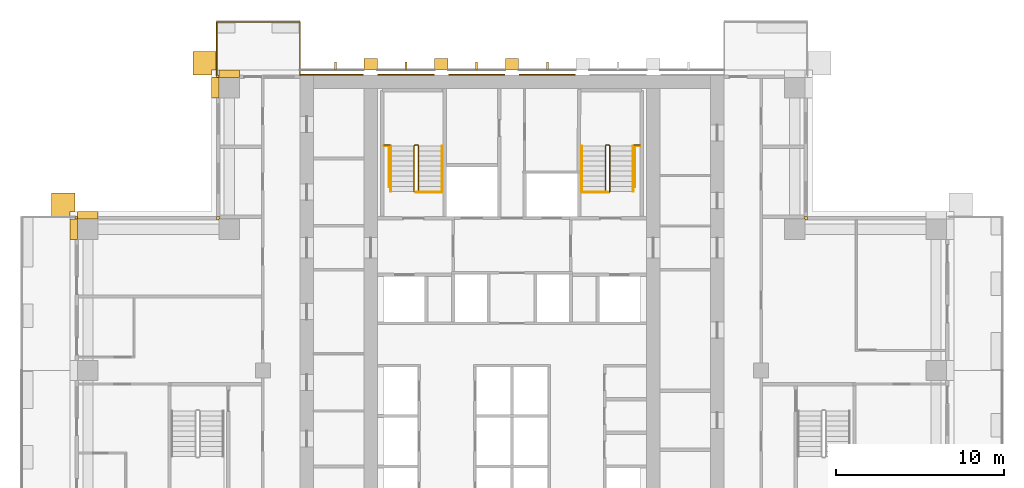
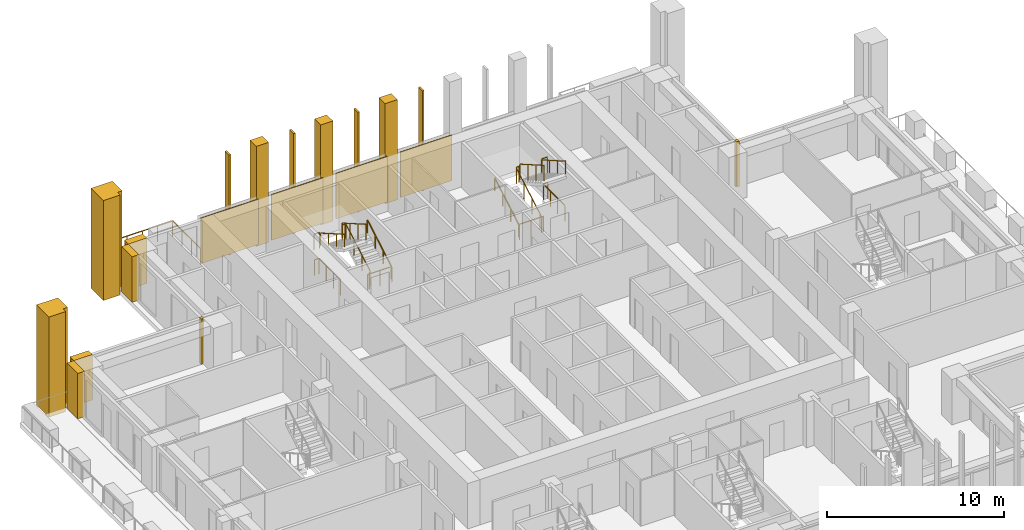
# One storey, part 16 of 17: 21 coverings, 13 railings.
"""IFC4 building model written with IfcOpenShell, lengths in metres."""

from ifc_helpers import new_model, si_unit, direction, frame, origin, origin_2d, place, context, subcontext, project, spatial, polyline, rectangle, outline, extrude, material, layer, layer_set, type_object, element, save


model = new_model("IFC4")

# Units and contexts
model_context = context("Model", 3, precision=1e-05, world=origin(), true_north=direction((0.0, 1.0)))
body_context = subcontext(model_context, "Body", "Model", "MODEL_VIEW")
ifc_project = project(units=[si_unit("LENGTHUNIT", "METRE"), si_unit("AREAUNIT", "SQUARE_METRE"), si_unit("VOLUMEUNIT", "CUBIC_METRE"), si_unit("PLANEANGLEUNIT", "RADIAN"), si_unit("MASSUNIT", "GRAM", prefix="KILO")], contexts=[model_context])

# Site, building, storey
site_placement = place(None, origin())
site = spatial("IfcSite", under=ifc_project, at=site_placement, CompositionType="ELEMENT")
building_placement = place(site_placement, origin())
building = spatial("IfcBuilding", under=site, at=building_placement, Name="Vermilion Ogive Tower", CompositionType="ELEMENT")
storey_placement = place(building_placement, frame((0.0, 0.0, 97.64990234375)))
storey = spatial("IfcBuildingStorey", under=building, at=storey_placement, Name="L24", CompositionType="ELEMENT", Elevation=97.64990234375)

# Railing
ifc_material_1 = material(Name="Stainless steel and glass", Category="steel")
railing_type_1 = type_object("IfcRailingType", Name="Balcony guard", PredefinedType="GUARDRAIL", material=ifc_material_1)
railing_1_placement = place(storey_placement, frame((-12.60009765625, 21.75, -0.039794921875)))
element("IfcRailing", 1, at=railing_1_placement, inside=storey, type_object=railing_type_1, Name="Guard N201", PredefinedType="GUARDRAIL", context=body_context, shape_type="SweptSolid", body=[
    extrude(rectangle(XDim=0.048095703125, YDim=0.048095703125, at=origin_2d()), frame((0.0, 0.0, 1.076171875), z_axis=(0.0, 1.0, 0.0), x_axis=(-1.0, 0.0, 0.0)), (0.0, 0.0, 1.0), 3.159912109375),
    extrude(rectangle(XDim=0.048095703125, YDim=0.048095703125, at=origin_2d()), frame((0.0, 3.159912109375, 1.076171875), z_axis=(-1.0, 0.0, 0.0), x_axis=(0.0, -1.0, 0.0)), (0.0, 0.0, 1.0), 4.949951171875),
    extrude(rectangle(XDim=0.048095703125, YDim=0.048095703125, at=origin_2d()), frame((-4.949951171875, 3.159912109375, 1.076171875), z_axis=(0.0, -1.0, 0.0), x_axis=(1.0, 0.0, 0.0)), (0.0, 0.0, 1.0), 3.159912109375),
    extrude(rectangle(XDim=0.0419921875, YDim=0.0419921875, at=origin_2d()), origin(), (0.0, 0.0, 1.0), 1.052001953125),
    extrude(rectangle(XDim=0.0419921875, YDim=0.0419921875, at=origin_2d()), frame((0.0, 1.05322265625, 0.0)), (0.0, 0.0, 1.0), 1.052001953125),
    extrude(rectangle(XDim=0.0419921875, YDim=0.0419921875, at=origin_2d()), frame((0.0, 2.106689453125, 0.0)), (0.0, 0.0, 1.0), 1.052001953125),
    extrude(rectangle(XDim=0.0419921875, YDim=0.0419921875, at=origin_2d()), frame((0.0, 3.159912109375, 0.0)), (0.0, 0.0, 1.0), 1.052001953125),
    extrude(rectangle(XDim=0.0419921875, YDim=0.0419921875, at=origin_2d()), frame((-0.989990234375, 3.159912109375, 0.0)), (0.0, 0.0, 1.0), 1.052001953125),
    extrude(rectangle(XDim=0.0419921875, YDim=0.0419921875, at=origin_2d()), frame((-1.97998046875, 3.159912109375, 0.0)), (0.0, 0.0, 1.0), 1.052001953125),
    extrude(rectangle(XDim=0.0419921875, YDim=0.0419921875, at=origin_2d()), frame((-2.969970703125, 3.159912109375, 0.0)), (0.0, 0.0, 1.0), 1.052001953125),
    extrude(rectangle(XDim=0.0419921875, YDim=0.0419921875, at=origin_2d()), frame((-3.9599609375, 3.159912109375, 0.0)), (0.0, 0.0, 1.0), 1.052001953125),
    extrude(rectangle(XDim=0.0419921875, YDim=0.0419921875, at=origin_2d()), frame((-4.949951171875, 3.159912109375, 0.0)), (0.0, 0.0, 1.0), 1.052001953125),
    extrude(rectangle(XDim=0.0419921875, YDim=0.0419921875, at=origin_2d()), frame((-4.949951171875, 2.106689453125, 0.0)), (0.0, 0.0, 1.0), 1.052001953125),
    extrude(rectangle(XDim=0.0419921875, YDim=0.0419921875, at=origin_2d()), frame((-4.949951171875, 1.05322265625, 0.0)), (0.0, 0.0, 1.0), 1.052001953125),
    extrude(rectangle(XDim=0.0419921875, YDim=0.0419921875, at=origin_2d()), frame((-4.949951171875, 0.0, 0.0)), (0.0, 0.0, 1.0), 1.052001953125),
])

# Coverings
ifc_material_2 = material(Name="Glazed ceramic screen")
ifc_layer = layer(ifc_material_2, 0.14990234375)
ifc_layer_set = layer_set([ifc_layer], Name="Ceramic solar screen fin")
covering_type_1 = type_object("IfcCoveringType", Name="Ceramic solar screen fin", PredefinedType="CLADDING", material=ifc_layer_set)
covering_1_placement = place(storey_placement, frame((0.0, 0.0, -0.31982421875)))
element("IfcCovering", 2, at=covering_1_placement, inside=storey, type_object=covering_type_1, Name="Solar screen blade N1", PredefinedType="CLADDING", context=body_context, shape_type="SweptSolid", body=[
    extrude(outline(polyline([(-10.56005859375, 22.08203125), (-10.43994140625, 22.08203125), (-10.43994140625, 22.531982421875), (-10.56005859375, 22.531982421875), (-10.56005859375, 22.08203125)])), origin(), (0.0, 0.0, 1.0), 6.89990234375),
])
covering_2_placement = place(storey_placement, frame((0.0, 0.0, -0.31982421875)))
element("IfcCovering", 3, at=covering_2_placement, inside=storey, type_object=covering_type_1, Name="Solar screen blade N2", PredefinedType="CLADDING", context=body_context, shape_type="SweptSolid", body=[
    extrude(outline(polyline([(-6.360107421875, 22.08203125), (-6.239990234375, 22.08203125), (-6.239990234375, 22.531982421875), (-6.360107421875, 22.531982421875), (-6.360107421875, 22.08203125)])), origin(), (0.0, 0.0, 1.0), 6.89990234375),
])
covering_3_placement = place(storey_placement, frame((0.0, 0.0, -0.31982421875)))
element("IfcCovering", 4, at=covering_3_placement, inside=storey, type_object=covering_type_1, Name="Solar screen blade N3", PredefinedType="CLADDING", context=body_context, shape_type="SweptSolid", body=[
    extrude(outline(polyline([(-2.159912109375, 22.08203125), (-2.0400390625, 22.08203125), (-2.0400390625, 22.531982421875), (-2.159912109375, 22.531982421875), (-2.159912109375, 22.08203125)])), origin(), (0.0, 0.0, 1.0), 6.89990234375),
])
covering_4_placement = place(storey_placement, frame((0.0, 0.0, -0.31982421875)))
element("IfcCovering", 5, at=covering_4_placement, inside=storey, type_object=covering_type_1, Name="Solar screen blade N4", PredefinedType="CLADDING", context=body_context, shape_type="SweptSolid", body=[
    extrude(outline(polyline([(2.0400390625, 22.08203125), (2.159912109375, 22.08203125), (2.159912109375, 22.531982421875), (2.0400390625, 22.531982421875), (2.0400390625, 22.08203125)])), origin(), (0.0, 0.0, 1.0), 6.89990234375),
])

# Railings
ifc_material_3 = material(Name="Steel S355 painted", Category="steel")
railing_type_2 = type_object("IfcRailingType", Name="Stair guard 1100", PredefinedType="GUARDRAIL", material=ifc_material_3)
railing_2_placement = place(storey_placement, frame((-5.75, 14.800048828125, 0.0)))
element("IfcRailing", 6, at=railing_2_placement, inside=storey, type_object=railing_type_2, Name="L24 ST1 stair guard 4", PredefinedType="GUARDRAIL", context=body_context, shape_type="SweptSolid", body=[
    extrude(rectangle(XDim=0.048095703125, YDim=0.048095703125, at=origin_2d()), frame((0.0, 0.0, 1.076171875), z_axis=(1.0, 0.0, 0.0), x_axis=(0.0, 1.0, 0.0)), (0.0, 0.0, 1.0), 0.14990234375),
    extrude(rectangle(XDim=0.048095703125, YDim=0.048095703125, at=origin_2d()), frame((0.14990234375, 0.0, 1.076171875), z_axis=(0.268277960024, 0.268277960024, 0.925231793839), x_axis=(-0.707106781187, 0.707106781187, 0.0)), (0.0, 0.0, 1.0), 0.1865234375),
    extrude(rectangle(XDim=0.048095703125, YDim=0.048095703125, at=origin_2d()), frame((0.199951171875, 0.050048828125, 1.24853515625), z_axis=(0.0, 0.866903762492, 0.498475542607), x_axis=(-1.0, 0.0, 0.0)), (0.0, 0.0, 1.0), 3.114501953125),
    extrude(rectangle(XDim=0.048095703125, YDim=0.048095703125, at=origin_2d()), frame((0.199951171875, 2.75, 2.80126953125), z_axis=(-0.707106781187, 0.707106781187, 0.0), x_axis=(-0.707106781187, -0.707106781187, 0.0)), (0.0, 0.0, 1.0), 0.07080078125),
    extrude(rectangle(XDim=0.048095703125, YDim=0.048095703125, at=origin_2d()), frame((0.14990234375, 2.800048828125, 2.80126953125), z_axis=(-1.0, 0.0, 0.0), x_axis=(0.0, -1.0, 0.0)), (0.0, 0.0, 1.0), 0.14990234375),
    extrude(rectangle(XDim=0.048095703125, YDim=0.048095703125, at=origin_2d()), frame((0.0, 2.800048828125, 2.80126953125), z_axis=(-0.268277960024, -0.268277960024, 0.925231793839), x_axis=(0.707106781187, -0.707106781187, 0.0)), (0.0, 0.0, 1.0), 0.1865234375),
    extrude(rectangle(XDim=0.048095703125, YDim=0.048095703125, at=origin_2d()), frame((-0.050048828125, 2.75, 2.9736328125), z_axis=(0.0, -0.866903762492, 0.498475542607), x_axis=(1.0, 0.0, 0.0)), (0.0, 0.0, 1.0), 3.114501953125),
    extrude(rectangle(XDim=0.0419921875, YDim=0.0419921875, at=origin_2d()), origin(), (0.0, 0.0, 1.0), 1.052001953125),
    extrude(rectangle(XDim=0.0419921875, YDim=0.0419921875, at=origin_2d()), frame((0.14990234375, 0.0, 0.0)), (0.0, 0.0, 1.0), 1.052001953125),
    extrude(rectangle(XDim=0.0419921875, YDim=0.0419921875, at=origin_2d()), frame((0.199951171875, 0.050048828125, 0.172607421875)), (0.0, 0.0, 1.0), 1.052001953125),
    extrude(rectangle(XDim=0.0419921875, YDim=0.0419921875, at=origin_2d()), frame((0.199951171875, 0.949951171875, 0.690185546875)), (0.0, 0.0, 1.0), 1.052001953125),
    extrude(rectangle(XDim=0.0419921875, YDim=0.0419921875, at=origin_2d()), frame((0.199951171875, 1.85009765625, 1.20751953125)), (0.0, 0.0, 1.0), 1.052001953125),
    extrude(rectangle(XDim=0.0419921875, YDim=0.0419921875, at=origin_2d()), frame((0.199951171875, 2.75, 1.72509765625)), (0.0, 0.0, 1.0), 1.052001953125),
    extrude(rectangle(XDim=0.0419921875, YDim=0.0419921875, at=origin_2d()), frame((0.14990234375, 2.800048828125, 1.72509765625)), (0.0, 0.0, 1.0), 1.052001953125),
    extrude(rectangle(XDim=0.0419921875, YDim=0.0419921875, at=origin_2d()), frame((0.0, 2.800048828125, 1.72509765625)), (0.0, 0.0, 1.0), 1.052001953125),
    extrude(rectangle(XDim=0.0419921875, YDim=0.0419921875, at=origin_2d()), frame((-0.050048828125, 2.75, 1.897705078125)), (0.0, 0.0, 1.0), 1.052001953125),
    extrude(rectangle(XDim=0.0419921875, YDim=0.0419921875, at=origin_2d()), frame((-0.050048828125, 1.85009765625, 2.415283203125)), (0.0, 0.0, 1.0), 1.052001953125),
    extrude(rectangle(XDim=0.0419921875, YDim=0.0419921875, at=origin_2d()), frame((-0.050048828125, 0.949951171875, 2.9326171875)), (0.0, 0.0, 1.0), 1.052001953125),
    extrude(rectangle(XDim=0.0419921875, YDim=0.0419921875, at=origin_2d()), frame((-0.050048828125, 0.050048828125, 3.4501953125)), (0.0, 0.0, 1.0), 1.052001953125),
])
railing_3_placement = place(storey_placement, frame((5.75, 14.800048828125, 0.0)))
element("IfcRailing", 7, at=railing_3_placement, inside=storey, type_object=railing_type_2, Name="L24 ST2 stair guard 4", PredefinedType="GUARDRAIL", context=body_context, shape_type="SweptSolid", body=[
    extrude(rectangle(XDim=0.048095703125, YDim=0.048095703125, at=origin_2d()), frame((0.0, 0.0, 1.076171875), z_axis=(-1.0, 0.0, 0.0), x_axis=(0.0, -1.0, 0.0)), (0.0, 0.0, 1.0), 0.14990234375),
    extrude(rectangle(XDim=0.048095703125, YDim=0.048095703125, at=origin_2d()), frame((-0.14990234375, 0.0, 1.076171875), z_axis=(-0.268277960024, 0.268277960024, 0.925231793839), x_axis=(-0.707106781187, -0.707106781187, 0.0)), (0.0, 0.0, 1.0), 0.1865234375),
    extrude(rectangle(XDim=0.048095703125, YDim=0.048095703125, at=origin_2d()), frame((-0.199951171875, 0.050048828125, 1.24853515625), z_axis=(0.0, 0.866903762492, 0.498475542607), x_axis=(-1.0, 0.0, 0.0)), (0.0, 0.0, 1.0), 3.114501953125),
    extrude(rectangle(XDim=0.048095703125, YDim=0.048095703125, at=origin_2d()), frame((-0.199951171875, 2.75, 2.80126953125), z_axis=(0.707106781187, 0.707106781187, 0.0), x_axis=(-0.707106781187, 0.707106781187, 0.0)), (0.0, 0.0, 1.0), 0.07080078125),
    extrude(rectangle(XDim=0.048095703125, YDim=0.048095703125, at=origin_2d()), frame((-0.14990234375, 2.800048828125, 2.80126953125), z_axis=(1.0, 0.0, 0.0), x_axis=(0.0, 1.0, 0.0)), (0.0, 0.0, 1.0), 0.14990234375),
    extrude(rectangle(XDim=0.048095703125, YDim=0.048095703125, at=origin_2d()), frame((0.0, 2.800048828125, 2.80126953125), z_axis=(0.268277960024, -0.268277960024, 0.925231793839), x_axis=(0.707106781187, 0.707106781187, 0.0)), (0.0, 0.0, 1.0), 0.1865234375),
    extrude(rectangle(XDim=0.048095703125, YDim=0.048095703125, at=origin_2d()), frame((0.050048828125, 2.75, 2.9736328125), z_axis=(0.0, -0.866903762492, 0.498475542607), x_axis=(1.0, 0.0, 0.0)), (0.0, 0.0, 1.0), 3.114501953125),
    extrude(rectangle(XDim=0.0419921875, YDim=0.0419921875, at=origin_2d()), origin(), (0.0, 0.0, 1.0), 1.052001953125),
    extrude(rectangle(XDim=0.0419921875, YDim=0.0419921875, at=origin_2d()), frame((-0.14990234375, 0.0, 0.0)), (0.0, 0.0, 1.0), 1.052001953125),
    extrude(rectangle(XDim=0.0419921875, YDim=0.0419921875, at=origin_2d()), frame((-0.199951171875, 0.050048828125, 0.172607421875)), (0.0, 0.0, 1.0), 1.052001953125),
    extrude(rectangle(XDim=0.0419921875, YDim=0.0419921875, at=origin_2d()), frame((-0.199951171875, 0.949951171875, 0.690185546875)), (0.0, 0.0, 1.0), 1.052001953125),
    extrude(rectangle(XDim=0.0419921875, YDim=0.0419921875, at=origin_2d()), frame((-0.199951171875, 1.85009765625, 1.20751953125)), (0.0, 0.0, 1.0), 1.052001953125),
    extrude(rectangle(XDim=0.0419921875, YDim=0.0419921875, at=origin_2d()), frame((-0.199951171875, 2.75, 1.72509765625)), (0.0, 0.0, 1.0), 1.052001953125),
    extrude(rectangle(XDim=0.0419921875, YDim=0.0419921875, at=origin_2d()), frame((-0.14990234375, 2.800048828125, 1.72509765625)), (0.0, 0.0, 1.0), 1.052001953125),
    extrude(rectangle(XDim=0.0419921875, YDim=0.0419921875, at=origin_2d()), frame((0.0, 2.800048828125, 1.72509765625)), (0.0, 0.0, 1.0), 1.052001953125),
    extrude(rectangle(XDim=0.0419921875, YDim=0.0419921875, at=origin_2d()), frame((0.050048828125, 2.75, 1.897705078125)), (0.0, 0.0, 1.0), 1.052001953125),
    extrude(rectangle(XDim=0.0419921875, YDim=0.0419921875, at=origin_2d()), frame((0.050048828125, 1.85009765625, 2.415283203125)), (0.0, 0.0, 1.0), 1.052001953125),
    extrude(rectangle(XDim=0.0419921875, YDim=0.0419921875, at=origin_2d()), frame((0.050048828125, 0.949951171875, 2.9326171875)), (0.0, 0.0, 1.0), 1.052001953125),
    extrude(rectangle(XDim=0.0419921875, YDim=0.0419921875, at=origin_2d()), frame((0.050048828125, 0.050048828125, 3.4501953125)), (0.0, 0.0, 1.0), 1.052001953125),
])
for number, where, name in (
    (8, (-7.60009765625, 17.60009765625, 1.72509765625), "L24 landing guard"),
    (9, (7.25, 17.60009765625, 1.72509765625), "L24 landing guard"),
):
    element("IfcRailing", number, at=place(storey_placement, frame(where)), inside=storey, type_object=railing_type_2, Name=name, PredefinedType="GUARDRAIL", context=body_context, shape_type="SweptSolid", body=[
        extrude(rectangle(XDim=0.048095703125, YDim=0.048095703125, at=origin_2d()), frame((0.0, 0.0, 1.076171875), z_axis=(1.0, 0.0, 0.0), x_axis=(0.0, 1.0, 0.0)), (0.0, 0.0, 1.0), 0.35009765625),
        extrude(rectangle(XDim=0.0419921875, YDim=0.0419921875, at=origin_2d()), origin(), (0.0, 0.0, 1.0), 1.052001953125),
        extrude(rectangle(XDim=0.0419921875, YDim=0.0419921875, at=origin_2d()), frame((0.35009765625, 0.0, 0.0)), (0.0, 0.0, 1.0), 1.052001953125),
    ])
railing_4_placement = place(storey_placement, frame((-4.159912109375, 14.7900390625, 0.0)))
element("IfcRailing", 10, at=railing_4_placement, inside=storey, type_object=railing_type_2, Name="L24 stair opening guard", PredefinedType="GUARDRAIL", context=body_context, shape_type="SweptSolid", body=[
    extrude(rectangle(XDim=0.048095703125, YDim=0.048095703125, at=origin_2d()), frame((0.0, 0.0, 1.076171875), z_axis=(-1.0, 0.0, 0.0), x_axis=(0.0, -1.0, 0.0)), (0.0, 0.0, 1.0), 1.5400390625),
    extrude(rectangle(XDim=0.0419921875, YDim=0.0419921875, at=origin_2d()), origin(), (0.0, 0.0, 1.0), 1.052001953125),
    extrude(rectangle(XDim=0.0419921875, YDim=0.0419921875, at=origin_2d()), frame((-0.77001953125, 0.0, 0.0)), (0.0, 0.0, 1.0), 1.052001953125),
    extrude(rectangle(XDim=0.0419921875, YDim=0.0419921875, at=origin_2d()), frame((-1.5400390625, 0.0, 0.0)), (0.0, 0.0, 1.0), 1.052001953125),
])
railing_5_placement = place(storey_placement, frame((-7.3095703125, 15.11865234375, 0.0)))
element("IfcRailing", 11, at=railing_5_placement, inside=storey, type_object=railing_type_2, Name="L24 stair opening guard", PredefinedType="GUARDRAIL", context=body_context, shape_type="SweptSolid", body=[
    extrude(rectangle(XDim=0.048095703125, YDim=0.048095703125, at=origin_2d()), frame((0.0, 0.0, 1.076171875), z_axis=(0.0, 1.0, 0.0), x_axis=(-1.0, 0.0, 0.0)), (0.0, 0.0, 1.0), 2.42431640625),
    extrude(rectangle(XDim=0.048095703125, YDim=0.048095703125, at=origin_2d()), frame((0.0, 2.42431640625, 1.076171875), z_axis=(-1.0, 0.0, 0.0), x_axis=(0.0, -1.0, 0.0)), (0.0, 0.0, 1.0), 0.2900390625),
    extrude(rectangle(XDim=0.0419921875, YDim=0.0419921875, at=origin_2d()), origin(), (0.0, 0.0, 1.0), 1.052001953125),
    extrude(rectangle(XDim=0.0419921875, YDim=0.0419921875, at=origin_2d()), frame((0.0, 0.80810546875, 0.0)), (0.0, 0.0, 1.0), 1.052001953125),
    extrude(rectangle(XDim=0.0419921875, YDim=0.0419921875, at=origin_2d()), frame((0.0, 1.6162109375, 0.0)), (0.0, 0.0, 1.0), 1.052001953125),
    extrude(rectangle(XDim=0.0419921875, YDim=0.0419921875, at=origin_2d()), frame((0.0, 2.42431640625, 0.0)), (0.0, 0.0, 1.0), 1.052001953125),
    extrude(rectangle(XDim=0.0419921875, YDim=0.0419921875, at=origin_2d()), frame((-0.2900390625, 2.42431640625, 0.0)), (0.0, 0.0, 1.0), 1.052001953125),
])
railing_6_placement = place(storey_placement, frame((7.599609375, 17.54296875, 0.0)))
element("IfcRailing", 12, at=railing_6_placement, inside=storey, type_object=railing_type_2, Name="L24 stair opening guard", PredefinedType="GUARDRAIL", context=body_context, shape_type="SweptSolid", body=[
    extrude(rectangle(XDim=0.048095703125, YDim=0.048095703125, at=origin_2d()), frame((0.0, 0.0, 1.076171875), z_axis=(-1.0, 0.0, 0.0), x_axis=(0.0, -1.0, 0.0)), (0.0, 0.0, 1.0), 0.2900390625),
    extrude(rectangle(XDim=0.048095703125, YDim=0.048095703125, at=origin_2d()), frame((-0.2900390625, 0.0, 1.076171875), z_axis=(0.0, -1.0, 0.0), x_axis=(1.0, 0.0, 0.0)), (0.0, 0.0, 1.0), 2.42431640625),
    extrude(rectangle(XDim=0.0419921875, YDim=0.0419921875, at=origin_2d()), origin(), (0.0, 0.0, 1.0), 1.052001953125),
    extrude(rectangle(XDim=0.0419921875, YDim=0.0419921875, at=origin_2d()), frame((-0.2900390625, 0.0, 0.0)), (0.0, 0.0, 1.0), 1.052001953125),
    extrude(rectangle(XDim=0.0419921875, YDim=0.0419921875, at=origin_2d()), frame((-0.2900390625, -0.80810546875, 0.0)), (0.0, 0.0, 1.0), 1.052001953125),
    extrude(rectangle(XDim=0.0419921875, YDim=0.0419921875, at=origin_2d()), frame((-0.2900390625, -1.6162109375, 0.0)), (0.0, 0.0, 1.0), 1.052001953125),
    extrude(rectangle(XDim=0.0419921875, YDim=0.0419921875, at=origin_2d()), frame((-0.2900390625, -2.42431640625, 0.0)), (0.0, 0.0, 1.0), 1.052001953125),
])
railing_7_placement = place(storey_placement, frame((5.699951171875, 14.7900390625, 0.0)))
element("IfcRailing", 13, at=railing_7_placement, inside=storey, type_object=railing_type_2, Name="L24 stair opening guard", PredefinedType="GUARDRAIL", context=body_context, shape_type="SweptSolid", body=[
    extrude(rectangle(XDim=0.048095703125, YDim=0.048095703125, at=origin_2d()), frame((0.0, 0.0, 1.076171875), z_axis=(-1.0, 0.0, 0.0), x_axis=(0.0, -1.0, 0.0)), (0.0, 0.0, 1.0), 1.5400390625),
    extrude(rectangle(XDim=0.0419921875, YDim=0.0419921875, at=origin_2d()), origin(), (0.0, 0.0, 1.0), 1.052001953125),
    extrude(rectangle(XDim=0.0419921875, YDim=0.0419921875, at=origin_2d()), frame((-0.77001953125, 0.0, 0.0)), (0.0, 0.0, 1.0), 1.052001953125),
    extrude(rectangle(XDim=0.0419921875, YDim=0.0419921875, at=origin_2d()), frame((-1.5400390625, 0.0, 0.0)), (0.0, 0.0, 1.0), 1.052001953125),
])
ifc_material_4 = material(Name="Stainless steel", Category="steel")
railing_type_3 = type_object("IfcRailingType", Name="Stair handrail 900", PredefinedType="HANDRAIL", material=ifc_material_4)
railing_8_placement = place(storey_placement, frame((-4.14990234375, 14.85009765625, 0.172607421875)))
element("IfcRailing", 14, at=railing_8_placement, inside=storey, type_object=railing_type_3, Name="L24 ST1 stair handrail 1", PredefinedType="HANDRAIL", context=body_context, shape_type="SweptSolid", body=[
    extrude(rectangle(XDim=0.048095703125, YDim=0.048095703125, at=origin_2d()), frame((0.0, 0.0, 0.8759765625), z_axis=(0.0, 0.866903762492, 0.498475542607), x_axis=(-1.0, 0.0, 0.0)), (0.0, 0.0, 1.0), 3.114501953125),
    extrude(rectangle(XDim=0.0419921875, YDim=0.0419921875, at=origin_2d()), origin(), (0.0, 0.0, 1.0), 0.851806640625),
    extrude(rectangle(XDim=0.0419921875, YDim=0.0419921875, at=origin_2d()), frame((0.0, 0.89990234375, 0.517578125)), (0.0, 0.0, 1.0), 0.851806640625),
    extrude(rectangle(XDim=0.0419921875, YDim=0.0419921875, at=origin_2d()), frame((0.0, 1.800048828125, 1.034912109375)), (0.0, 0.0, 1.0), 0.851806640625),
    extrude(rectangle(XDim=0.0419921875, YDim=0.0419921875, at=origin_2d()), frame((0.0, 2.699951171875, 1.552490234375)), (0.0, 0.0, 1.0), 0.851806640625),
])
railing_9_placement = place(storey_placement, frame((-7.199951171875, 17.550048828125, 1.897705078125)))
element("IfcRailing", 15, at=railing_9_placement, inside=storey, type_object=railing_type_3, Name="L24 ST1 stair handrail 2", PredefinedType="HANDRAIL", context=body_context, shape_type="SweptSolid", body=[
    extrude(rectangle(XDim=0.048095703125, YDim=0.048095703125, at=origin_2d()), frame((0.0, 0.0, 0.8759765625), z_axis=(0.0, -0.866903762492, 0.498475542607), x_axis=(1.0, 0.0, 0.0)), (0.0, 0.0, 1.0), 3.114501953125),
    extrude(rectangle(XDim=0.0419921875, YDim=0.0419921875, at=origin_2d()), origin(), (0.0, 0.0, 1.0), 0.851806640625),
    extrude(rectangle(XDim=0.0419921875, YDim=0.0419921875, at=origin_2d()), frame((0.0, -0.89990234375, 0.517578125)), (0.0, 0.0, 1.0), 0.851806640625),
    extrude(rectangle(XDim=0.0419921875, YDim=0.0419921875, at=origin_2d()), frame((0.0, -1.800048828125, 1.034912109375)), (0.0, 0.0, 1.0), 0.851806640625),
    extrude(rectangle(XDim=0.0419921875, YDim=0.0419921875, at=origin_2d()), frame((0.0, -2.699951171875, 1.552490234375)), (0.0, 0.0, 1.0), 0.851806640625),
])
railing_10_placement = place(storey_placement, frame((4.14990234375, 14.85009765625, 0.172607421875)))
element("IfcRailing", 16, at=railing_10_placement, inside=storey, type_object=railing_type_3, Name="L24 ST2 stair handrail 1", PredefinedType="HANDRAIL", context=body_context, shape_type="SweptSolid", body=[
    extrude(rectangle(XDim=0.048095703125, YDim=0.048095703125, at=origin_2d()), frame((0.0, 0.0, 0.8759765625), z_axis=(0.0, 0.866903762492, 0.498475542607), x_axis=(-1.0, 0.0, 0.0)), (0.0, 0.0, 1.0), 3.114501953125),
    extrude(rectangle(XDim=0.0419921875, YDim=0.0419921875, at=origin_2d()), origin(), (0.0, 0.0, 1.0), 0.851806640625),
    extrude(rectangle(XDim=0.0419921875, YDim=0.0419921875, at=origin_2d()), frame((0.0, 0.89990234375, 0.517578125)), (0.0, 0.0, 1.0), 0.851806640625),
    extrude(rectangle(XDim=0.0419921875, YDim=0.0419921875, at=origin_2d()), frame((0.0, 1.800048828125, 1.034912109375)), (0.0, 0.0, 1.0), 0.851806640625),
    extrude(rectangle(XDim=0.0419921875, YDim=0.0419921875, at=origin_2d()), frame((0.0, 2.699951171875, 1.552490234375)), (0.0, 0.0, 1.0), 0.851806640625),
])
railing_11_placement = place(storey_placement, frame((7.199951171875, 17.550048828125, 1.897705078125)))
element("IfcRailing", 17, at=railing_11_placement, inside=storey, type_object=railing_type_3, Name="L24 ST2 stair handrail 2", PredefinedType="HANDRAIL", context=body_context, shape_type="SweptSolid", body=[
    extrude(rectangle(XDim=0.048095703125, YDim=0.048095703125, at=origin_2d()), frame((0.0, 0.0, 0.8759765625), z_axis=(0.0, -0.866903762492, 0.498475542607), x_axis=(1.0, 0.0, 0.0)), (0.0, 0.0, 1.0), 3.114501953125),
    extrude(rectangle(XDim=0.0419921875, YDim=0.0419921875, at=origin_2d()), origin(), (0.0, 0.0, 1.0), 0.851806640625),
    extrude(rectangle(XDim=0.0419921875, YDim=0.0419921875, at=origin_2d()), frame((0.0, -0.89990234375, 0.517578125)), (0.0, 0.0, 1.0), 0.851806640625),
    extrude(rectangle(XDim=0.0419921875, YDim=0.0419921875, at=origin_2d()), frame((0.0, -1.800048828125, 1.034912109375)), (0.0, 0.0, 1.0), 0.851806640625),
    extrude(rectangle(XDim=0.0419921875, YDim=0.0419921875, at=origin_2d()), frame((0.0, -2.699951171875, 1.552490234375)), (0.0, 0.0, 1.0), 0.851806640625),
])

# Coverings
ifc_material_5 = material(Name="Stone cladding", Category="masonry")
covering_type_2 = type_object("IfcCoveringType", Name="Stone buttress pier", PredefinedType="CLADDING", material=ifc_material_5)
covering_5_placement = place(storey_placement, frame((0.0, 0.0, -0.31982421875)))
element("IfcCovering", 18, at=covering_5_placement, inside=storey, type_object=covering_type_2, Name="Stone buttress pier N1", PredefinedType="CLADDING", context=body_context, shape_type="SweptSolid", body=[
    extrude(outline(polyline([(-8.0, 22.75), (-8.0, 22.050048828125), (-8.800048828125, 22.050048828125), (-8.800048828125, 22.75), (-8.0, 22.75)])), origin(), (0.0, 0.0, 1.0), 6.89990234375),
])
covering_6_placement = place(storey_placement, frame((0.0, 0.0, -0.31982421875)))
element("IfcCovering", 19, at=covering_6_placement, inside=storey, type_object=covering_type_2, Name="Stone buttress pier N2", PredefinedType="CLADDING", context=body_context, shape_type="SweptSolid", body=[
    extrude(outline(polyline([(-3.800048828125, 22.75), (-3.800048828125, 22.050048828125), (-4.60009765625, 22.050048828125), (-4.60009765625, 22.75), (-3.800048828125, 22.75)])), origin(), (0.0, 0.0, 1.0), 6.89990234375),
])
covering_7_placement = place(storey_placement, frame((0.0, 0.0, -0.31982421875)))
element("IfcCovering", 20, at=covering_7_placement, inside=storey, type_object=covering_type_2, Name="Stone buttress pier N3", PredefinedType="CLADDING", context=body_context, shape_type="SweptSolid", body=[
    extrude(outline(polyline([(0.39990234375, 22.75), (0.39990234375, 22.050048828125), (-0.39990234375, 22.050048828125), (-0.39990234375, 22.75), (0.39990234375, 22.75)])), origin(), (0.0, 0.0, 1.0), 6.89990234375),
])
ifc_material_6 = material(Name="Stone cladding", Category="masonry")
covering_type_3 = type_object("IfcCoveringType", Name="Stone cladding panel", PredefinedType="CLADDING", material=ifc_material_6)
covering_8_placement = place(storey_placement, origin())
element("IfcCovering", 21, at=covering_8_placement, inside=storey, type_object=covering_type_3, Name="Stone cladding panel N1", PredefinedType="CLADDING", context=body_context, shape_type="SweptSolid", body=[
    extrude(outline(polyline([(-12.590087890625, 21.75), (-8.830078125, 21.75), (-8.830078125, 21.81005859375), (-12.590087890625, 21.81005859375), (-12.590087890625, 21.75)])), origin(), (0.0, 0.0, 1.0), 3.130126953125),
])
covering_9_placement = place(storey_placement, origin())
element("IfcCovering", 22, at=covering_9_placement, inside=storey, type_object=covering_type_3, Name="Stone cladding panel N2", PredefinedType="CLADDING", context=body_context, shape_type="SweptSolid", body=[
    extrude(outline(polyline([(-7.969970703125, 21.75), (-4.6298828125, 21.75), (-4.6298828125, 21.81005859375), (-7.969970703125, 21.81005859375), (-7.969970703125, 21.75)])), origin(), (0.0, 0.0, 1.0), 3.130126953125),
])
covering_10_placement = place(storey_placement, origin())
element("IfcCovering", 23, at=covering_10_placement, inside=storey, type_object=covering_type_3, Name="Stone cladding panel N3", PredefinedType="CLADDING", context=body_context, shape_type="SweptSolid", body=[
    extrude(outline(polyline([(-3.77001953125, 21.75), (-0.429931640625, 21.75), (-0.429931640625, 21.81005859375), (-3.77001953125, 21.81005859375), (-3.77001953125, 21.75)])), origin(), (0.0, 0.0, 1.0), 3.130126953125),
])
covering_11_placement = place(storey_placement, origin())
element("IfcCovering", 24, at=covering_11_placement, inside=storey, type_object=covering_type_3, Name="Stone cladding panel N4", PredefinedType="CLADDING", context=body_context, shape_type="SweptSolid", body=[
    extrude(outline(polyline([(0.429931640625, 21.75), (3.77001953125, 21.75), (3.77001953125, 21.81005859375), (0.429931640625, 21.81005859375), (0.429931640625, 21.75)])), origin(), (0.0, 0.0, 1.0), 3.130126953125),
])
ifc_material_7 = material(Name="Stone cladding", Category="masonry")
covering_type_4 = type_object("IfcCoveringType", Name="Stone corner buttress", PredefinedType="CLADDING", material=ifc_material_7)
covering_12_placement = place(storey_placement, frame((0.0, 0.0, -0.31982421875)))
element("IfcCovering", 25, at=covering_12_placement, inside=storey, type_object=covering_type_4, Name="Stone corner buttress X51", PredefinedType="CLADDING", context=body_context, shape_type="SweptSolid", body=[
    extrude(outline(polyline([(-17.550048828125, 23.14990234375), (-17.550048828125, 22.050048828125), (-17.85009765625, 22.050048828125), (-17.85009765625, 21.75), (-18.949951171875, 21.75), (-18.949951171875, 23.14990234375), (-17.550048828125, 23.14990234375)])), origin(), (0.0, 0.0, 1.0), 6.89990234375),
])
covering_13_placement = place(storey_placement, frame((0.0, 0.0, -0.31982421875)))
element("IfcCovering", 26, at=covering_13_placement, inside=storey, type_object=covering_type_4, Name="Stone corner buttress W1", PredefinedType="CLADDING", context=body_context, shape_type="SweptSolid", body=[
    extrude(outline(polyline([(-26.25, 13.64990234375), (-26.25, 13.35009765625), (-27.35009765625, 13.35009765625), (-27.35009765625, 14.75), (-25.949951171875, 14.75), (-25.949951171875, 13.64990234375), (-26.25, 13.64990234375)])), origin(), (0.0, 0.0, 1.0), 6.89990234375),
])
ifc_material_8 = material(Name="Stone cladding", Category="masonry")
covering_type_5 = type_object("IfcCoveringType", Name="Stone pier", PredefinedType="CLADDING", material=ifc_material_8)
covering_14_placement = place(storey_placement, origin())
element("IfcCovering", 27, at=covering_14_placement, inside=storey, type_object=covering_type_5, Name="Stone corner pier X3E1", PredefinedType="CLADDING", context=body_context, shape_type="SweptSolid", body=[
    extrude(outline(polyline([(17.39990234375, 13.14990234375), (17.39990234375, 13.199951171875), (17.35009765625, 13.199951171875), (17.35009765625, 13.35009765625), (17.550048828125, 13.35009765625), (17.550048828125, 13.14990234375), (17.39990234375, 13.14990234375)])), origin(), (0.0, 0.0, 1.0), 3.130126953125),
])
covering_15_placement = place(storey_placement, origin())
element("IfcCovering", 28, at=covering_15_placement, inside=storey, type_object=covering_type_5, Name="Stone corner pier N2E1", PredefinedType="CLADDING", context=body_context, shape_type="SweptSolid", body=[
    extrude(outline(polyline([(-17.39990234375, 21.75), (-17.39990234375, 21.60009765625), (-17.39990234375, 21.60009765625), (-17.550048828125, 21.60009765625), (-17.550048828125, 21.75), (-17.39990234375, 21.75)])), origin(), (0.0, 0.0, 1.0), 3.130126953125),
])
covering_16_placement = place(storey_placement, origin())
element("IfcCovering", 29, at=covering_16_placement, inside=storey, type_object=covering_type_5, Name="Stone corner pier X5E1", PredefinedType="CLADDING", context=body_context, shape_type="SweptSolid", body=[
    extrude(outline(polyline([(-17.35009765625, 13.199951171875), (-17.39990234375, 13.199951171875), (-17.39990234375, 13.14990234375), (-17.550048828125, 13.14990234375), (-17.550048828125, 13.35009765625), (-17.35009765625, 13.35009765625), (-17.35009765625, 13.199951171875)])), origin(), (0.0, 0.0, 1.0), 3.130126953125),
])
covering_17_placement = place(storey_placement, origin())
element("IfcCovering", 30, at=covering_17_placement, inside=storey, type_object=covering_type_5, Name="Stone corner pier X6E1", PredefinedType="CLADDING", context=body_context, shape_type="SweptSolid", body=[
    extrude(outline(polyline([(-25.800048828125, 13.35009765625), (-25.800048828125, 13.199951171875), (-25.949951171875, 13.199951171875), (-25.949951171875, 13.35009765625), (-25.800048828125, 13.35009765625)])), origin(), (0.0, 0.0, 1.0), 3.130126953125),
])
covering_18_placement = place(storey_placement, origin())
element("IfcCovering", 31, at=covering_18_placement, inside=storey, type_object=covering_type_5, Name="Stone pier P-0168+210N2", PredefinedType="CLADDING", context=body_context, shape_type="SweptSolid", body=[
    extrude(outline(polyline([(-17.39990234375, 22.050048828125), (-16.199951171875, 22.050048828125), (-16.199951171875, 21.60009765625), (-17.39990234375, 21.60009765625), (-17.39990234375, 22.050048828125)])), origin(), (0.0, 0.0, 1.0), 3.130126953125),
])
covering_19_placement = place(storey_placement, origin())
element("IfcCovering", 32, at=covering_19_placement, inside=storey, type_object=covering_type_5, Name="Stone pier P-0168+210X5", PredefinedType="CLADDING", context=body_context, shape_type="SweptSolid", body=[
    extrude(outline(polyline([(-17.85009765625, 21.60009765625), (-17.39990234375, 21.60009765625), (-17.39990234375, 20.39990234375), (-17.85009765625, 20.39990234375), (-17.85009765625, 21.60009765625)])), origin(), (0.0, 0.0, 1.0), 3.130126953125),
])
covering_20_placement = place(storey_placement, origin())
element("IfcCovering", 33, at=covering_20_placement, inside=storey, type_object=covering_type_5, Name="Stone pier P-0252+126X6", PredefinedType="CLADDING", context=body_context, shape_type="SweptSolid", body=[
    extrude(outline(polyline([(-25.800048828125, 13.199951171875), (-25.800048828125, 13.64990234375), (-24.60009765625, 13.64990234375), (-24.60009765625, 13.199951171875), (-24.60009765625, 13.199951171875), (-25.800048828125, 13.199951171875)])), origin(), (0.0, 0.0, 1.0), 3.130126953125),
])
covering_21_placement = place(storey_placement, origin())
element("IfcCovering", 34, at=covering_21_placement, inside=storey, type_object=covering_type_5, Name="Stone pier P-0252+126W", PredefinedType="CLADDING", context=body_context, shape_type="SweptSolid", body=[
    extrude(outline(polyline([(-26.25, 13.199951171875), (-25.800048828125, 13.199951171875), (-25.800048828125, 12.0), (-26.25, 12.0), (-26.25, 13.199951171875)])), origin(), (0.0, 0.0, 1.0), 3.130126953125),
])

save(model, "model.ifc")
